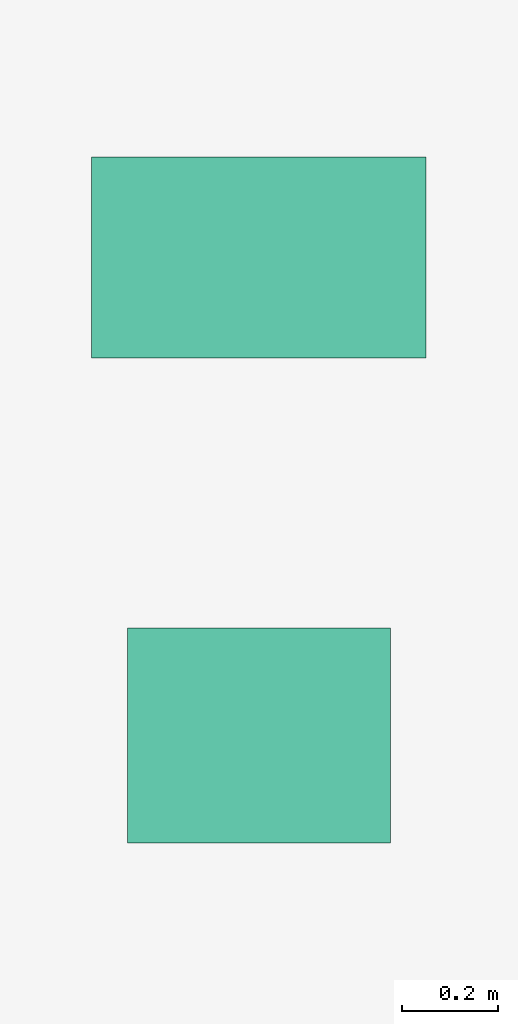
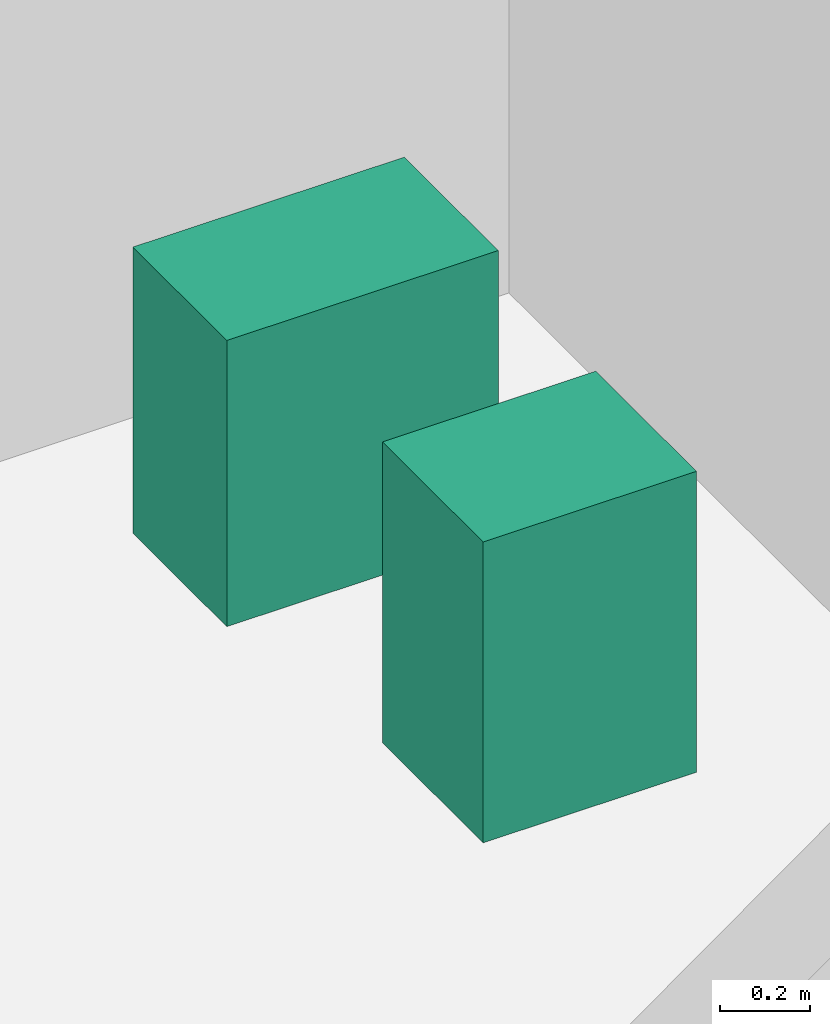
# One storey, part 34 of 34: 2 sanitary terminals.
"""IFC4 building model written with IfcOpenShell, lengths in metres."""

from ifc_helpers import new_model, si_unit, direction, frame, origin, origin_2d, place, context, subcontext, project, spatial, rectangle, extrude, source, transform, mapped, material, type_object, element, save


model = new_model("IFC4")

# Units and contexts
model_context = context("Model", 3, precision=1e-05, world=origin(), true_north=direction((0.0, 1.0)))
body_context = subcontext(model_context, "Body", "Model", "MODEL_VIEW")
ifc_project = project(units=[si_unit("LENGTHUNIT", "METRE"), si_unit("AREAUNIT", "SQUARE_METRE"), si_unit("VOLUMEUNIT", "CUBIC_METRE"), si_unit("PLANEANGLEUNIT", "RADIAN"), si_unit("MASSUNIT", "GRAM", prefix="KILO")], contexts=[model_context])

# Site, building, storey
site_placement = place(None, origin())
site = spatial("IfcSite", under=ifc_project, at=site_placement, CompositionType="ELEMENT")
building_placement = place(site_placement, origin())
building = spatial("IfcBuilding", under=site, at=building_placement, Name="Sumidabori Civic Tower", CompositionType="ELEMENT")
storey_placement = place(building_placement, frame((0.0, 0.0, 34.39990234375)))
storey = spatial("IfcBuildingStorey", under=building, at=storey_placement, Name="L08", CompositionType="ELEMENT", Elevation=34.39990234375)

# Sanitary terminals
ifc_material = material(Name="Vitreous Sanitary Porcelain")
sanitary_terminal_type_1 = type_object("IfcSanitaryTerminalType", Name="SN-WC-1", PredefinedType="TOILETPAN", material=ifc_material)
shared_shape_1 = source(origin(), body_context, "Body", "SweptSolid", [
    extrude(rectangle(XDim=0.699951171875, YDim=0.419921875, at=origin_2d()), origin(), (0.0, 0.0, 1.0), 0.780029296875),
])
sanitary_terminal_1_placement = place(storey_placement, frame((10.800048828125, 21.85009765625, 0.0), z_axis=(0.0, 0.0, 1.0), x_axis=(1.0, 0.0, 0.0)))
element("IfcSanitaryTerminal", 1, at=sanitary_terminal_1_placement, inside=storey, type_object=sanitary_terminal_type_1, Name="Accessible WC Pan L08", PredefinedType="TOILETPAN", context=body_context, shape_type="MappedRepresentation", body=[
    mapped(shared_shape_1, transform((0.0, 0.0, 0.0), x_axis=(1.0, 0.0, 0.0), y_axis=(0.0, 1.0, 0.0), z_axis=(0.0, 0.0, 1.0), scale=1.0)),
])
sanitary_terminal_type_2 = type_object("IfcSanitaryTerminalType", Name="SN-BAS-1", PredefinedType="WASHHANDBASIN", material=ifc_material)
shared_shape_2 = source(origin(), body_context, "Body", "SweptSolid", [
    extrude(rectangle(XDim=0.550048828125, YDim=0.449951171875, at=origin_2d()), origin(), (0.0, 0.0, 1.0), 0.820068359375),
])
sanitary_terminal_2_placement = place(storey_placement, frame((10.800048828125, 20.85009765625, 0.0), z_axis=(0.0, 0.0, 1.0), x_axis=(1.0, 0.0, 0.0)))
element("IfcSanitaryTerminal", 2, at=sanitary_terminal_2_placement, inside=storey, type_object=sanitary_terminal_type_2, Name="Accessible Basin L08", PredefinedType="WASHHANDBASIN", context=body_context, shape_type="MappedRepresentation", body=[
    mapped(shared_shape_2, transform((0.0, 0.0, 0.0), x_axis=(1.0, 0.0, 0.0), y_axis=(0.0, 1.0, 0.0), z_axis=(0.0, 0.0, 1.0), scale=1.0)),
])

save(model, "model.ifc")
